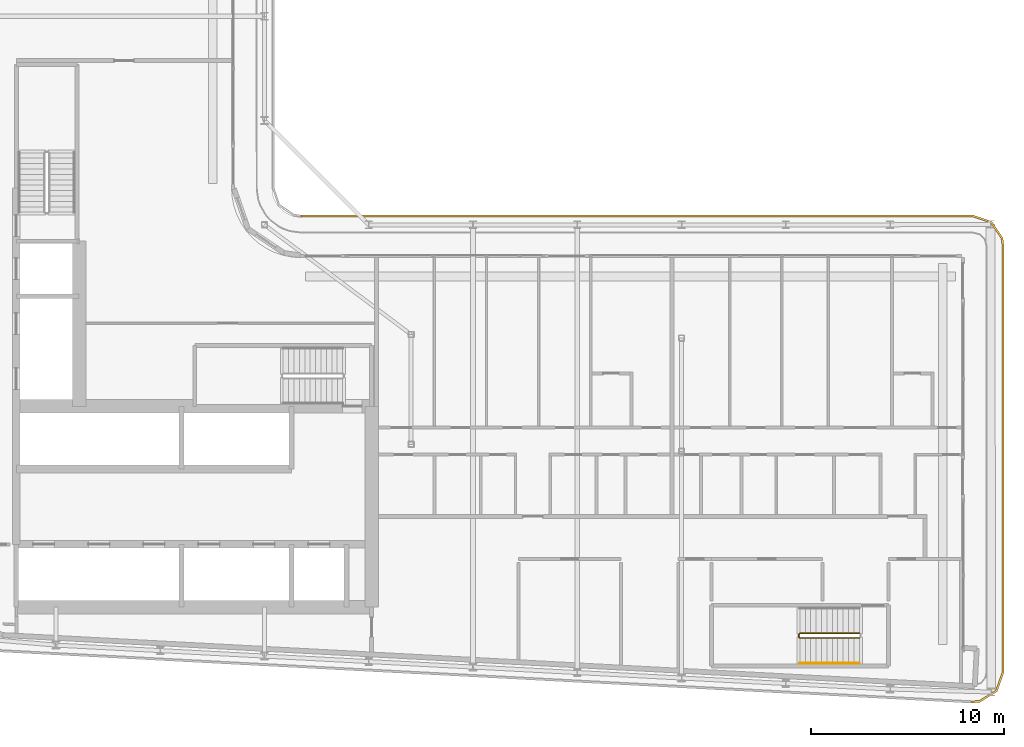
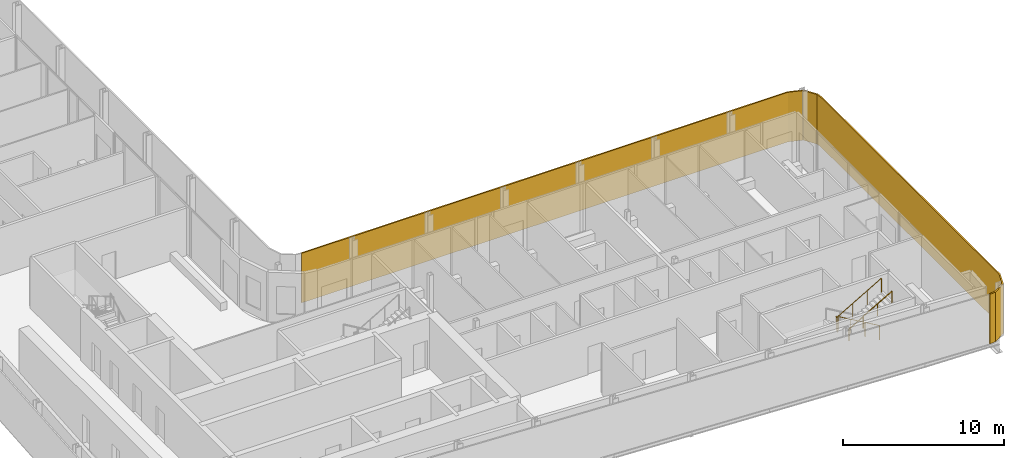
# One storey, part 19 of 23: 2 railings, 1 shading device.
"""IFC4 building model written with IfcOpenShell, lengths in metres."""

from ifc_helpers import new_model, si_unit, direction, frame, origin, origin_2d, place, context, subcontext, project, spatial, polyline, circle, outline, extrude, material, layer, layer_set, type_object, element, save


model = new_model("IFC4")

# Units and contexts
model_context = context("Model", 3, precision=1e-05, world=origin(), true_north=direction((0.0, 1.0)))
body_context = subcontext(model_context, "Body", "Model", "MODEL_VIEW")
ifc_project = project(units=[si_unit("LENGTHUNIT", "METRE"), si_unit("AREAUNIT", "SQUARE_METRE"), si_unit("VOLUMEUNIT", "CUBIC_METRE"), si_unit("PLANEANGLEUNIT", "RADIAN"), si_unit("MASSUNIT", "GRAM", prefix="KILO")], contexts=[model_context])

# Site, building, storey
site_placement = place(None, origin())
site = spatial("IfcSite", under=ifc_project, at=site_placement, CompositionType="ELEMENT")
building_placement = place(site_placement, origin())
building = spatial("IfcBuilding", under=site, at=building_placement, Name="Kheshtan School and Residences Tower", CompositionType="ELEMENT")
storey_placement = place(building_placement, frame((0.0, 0.0, 243.5)))
storey = spatial("IfcBuildingStorey", under=building, at=storey_placement, Name="L57", CompositionType="ELEMENT", Elevation=243.5)

# Shading device
ifc_material_1 = material(Name="Terracotta lattice, extruded ceramic", Category="masonry")
ifc_layer = layer(ifc_material_1, 0.10009765625)
ifc_layer_set = layer_set([ifc_layer], Name="Loggia screen, terracotta lattice")
shading_device_type = type_object("IfcShadingDeviceType", Name="Loggia screen, terracotta lattice", PredefinedType="USERDEFINED", material=ifc_layer_set)
shading_device_placement = place(storey_placement, origin())
element("IfcShadingDevice", 1, at=shading_device_placement, inside=storey, type_object=shading_device_type, Name="Screen L57 2", ObjectType="SCREEN", PredefinedType="USERDEFINED", context=body_context, shape_type="SweptSolid", body=[
    extrude(outline(polyline([(49.5, 46.0), (84.300048828125, 46.0), (85.212890625, 45.68994140625), (85.7490234375, 44.887939453125), (85.800048828125, 44.5), (85.800048828125, 22.43408203125), (85.469970703125, 21.4951171875), (84.6240234375, 20.968994140625), (84.220947265625, 20.93603515625), (84.22900390625, 20.8359375), (84.656005859375, 20.87109375), (85.552978515625, 21.428955078125), (85.89990234375, 22.4169921875), (85.89990234375, 44.507080078125), (85.844970703125, 44.924072265625), (85.277099609375, 45.77392578125), (84.31689453125, 46.10009765625), (49.5, 46.10009765625), (49.5, 46.0)])), origin(), (0.0, 0.0, 1.0), 3.75),
])

# Railings
ifc_material_2 = material(Name="Stainless steel balustrade", Category="steel")
railing_type_1 = type_object("IfcRailingType", Name="Stair guard 1100", PredefinedType="GUARDRAIL", material=ifc_material_2)
railing_1_placement = place(storey_placement, frame((78.409912109375, 24.449951171875, 0.16259765625)))
element("IfcRailing", 2, at=railing_1_placement, inside=storey, type_object=railing_type_1, Name="L57 ST5 stair guard 1", PredefinedType="GUARDRAIL", context=body_context, shape_type="SweptSolid", body=[
    extrude(circle(Radius=0.02392578125, at=origin_2d()), frame((0.0, 0.0, 1.076171875), z_axis=(-0.864903211148, 0.0, 0.501938676878), x_axis=(0.0, -1.0, 0.0)), (0.0, 0.0, 1.0), 3.560791015625),
    extrude(circle(Radius=0.02392578125, at=origin_2d()), frame((-3.079833984375, 0.0, 2.86328125), z_axis=(-0.707106781187, -0.707106781187, 0.0), x_axis=(0.707106781187, -0.707106781187, 0.0)), (0.0, 0.0, 1.0), 0.07080078125),
    extrude(circle(Radius=0.02392578125, at=origin_2d()), frame((-3.1298828125, -0.050048828125, 2.86328125), z_axis=(0.0, -1.0, 0.0), x_axis=(1.0, 0.0, 0.0)), (0.0, 0.0, 1.0), 0.14990234375),
    extrude(circle(Radius=0.02392578125, at=origin_2d()), frame((-3.1298828125, -0.199951171875, 2.86328125), z_axis=(0.282227285176, -0.282227285176, 0.916894497205), x_axis=(0.707106781187, 0.707106781187, 0.0)), (0.0, 0.0, 1.0), 0.17724609375),
    extrude(circle(Radius=0.02392578125, at=origin_2d()), frame((-3.079833984375, -0.25, 3.02587890625), z_axis=(0.864903211148, 0.0, 0.501938676878), x_axis=(0.0, 1.0, 0.0)), (0.0, 0.0, 1.0), 3.560791015625),
    extrude(circle(Radius=0.02099609375, at=origin_2d()), origin(), (0.0, 0.0, 1.0), 1.052001953125),
    extrude(circle(Radius=0.02099609375, at=origin_2d()), frame((-1.026611328125, 0.0, 0.595703125)), (0.0, 0.0, 1.0), 1.052001953125),
    extrude(circle(Radius=0.02099609375, at=origin_2d()), frame((-2.05322265625, 0.0, 1.191650390625)), (0.0, 0.0, 1.0), 1.052001953125),
    extrude(circle(Radius=0.02099609375, at=origin_2d()), frame((-3.079833984375, 0.0, 1.787353515625)), (0.0, 0.0, 1.0), 1.052001953125),
    extrude(circle(Radius=0.02099609375, at=origin_2d()), frame((-3.1298828125, -0.050048828125, 1.787353515625)), (0.0, 0.0, 1.0), 1.052001953125),
    extrude(circle(Radius=0.02099609375, at=origin_2d()), frame((-3.1298828125, -0.199951171875, 1.787353515625)), (0.0, 0.0, 1.0), 1.052001953125),
    extrude(circle(Radius=0.02099609375, at=origin_2d()), frame((-3.079833984375, -0.25, 1.949951171875)), (0.0, 0.0, 1.0), 1.052001953125),
    extrude(circle(Radius=0.02099609375, at=origin_2d()), frame((-2.05322265625, -0.25, 2.545654296875)), (0.0, 0.0, 1.0), 1.052001953125),
    extrude(circle(Radius=0.02099609375, at=origin_2d()), frame((-1.026611328125, -0.25, 3.1416015625)), (0.0, 0.0, 1.0), 1.052001953125),
    extrude(circle(Radius=0.02099609375, at=origin_2d()), frame((0.0, -0.25, 3.7373046875)), (0.0, 0.0, 1.0), 1.052001953125),
])
ifc_material_3 = material(Name="Stainless steel handrail", Category="steel")
railing_type_2 = type_object("IfcRailingType", Name="Stair handrail 900", PredefinedType="HANDRAIL", material=ifc_material_3)
railing_2_placement = place(storey_placement, frame((75.330078125, 22.89990234375, 2.112548828125)))
element("IfcRailing", 3, at=railing_2_placement, inside=storey, type_object=railing_type_2, Name="L57 ST5 stair handrail 2", PredefinedType="HANDRAIL", context=body_context, shape_type="SweptSolid", body=[
    extrude(circle(Radius=0.02392578125, at=origin_2d()), frame((0.0, 0.0, 0.8759765625), z_axis=(0.864903211148, 0.0, 0.501938676878), x_axis=(0.0, 1.0, 0.0)), (0.0, 0.0, 1.0), 3.560791015625),
    extrude(circle(Radius=0.02099609375, at=origin_2d()), origin(), (0.0, 0.0, 1.0), 0.851806640625),
    extrude(circle(Radius=0.02099609375, at=origin_2d()), frame((1.026611328125, 0.0, 0.595703125)), (0.0, 0.0, 1.0), 0.851806640625),
    extrude(circle(Radius=0.02099609375, at=origin_2d()), frame((2.05322265625, 0.0, 1.191650390625)), (0.0, 0.0, 1.0), 0.851806640625),
    extrude(circle(Radius=0.02099609375, at=origin_2d()), frame((3.079833984375, 0.0, 1.787353515625)), (0.0, 0.0, 1.0), 0.851806640625),
])

save(model, "model.ifc")
